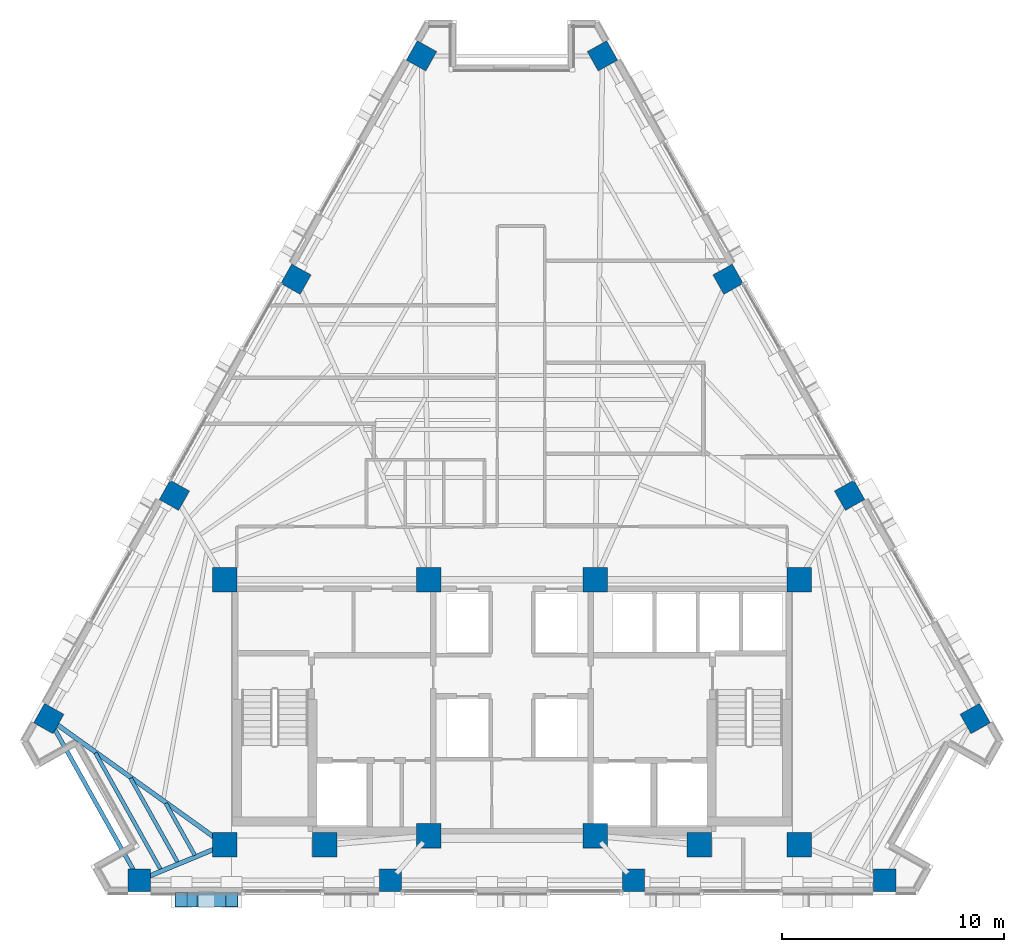
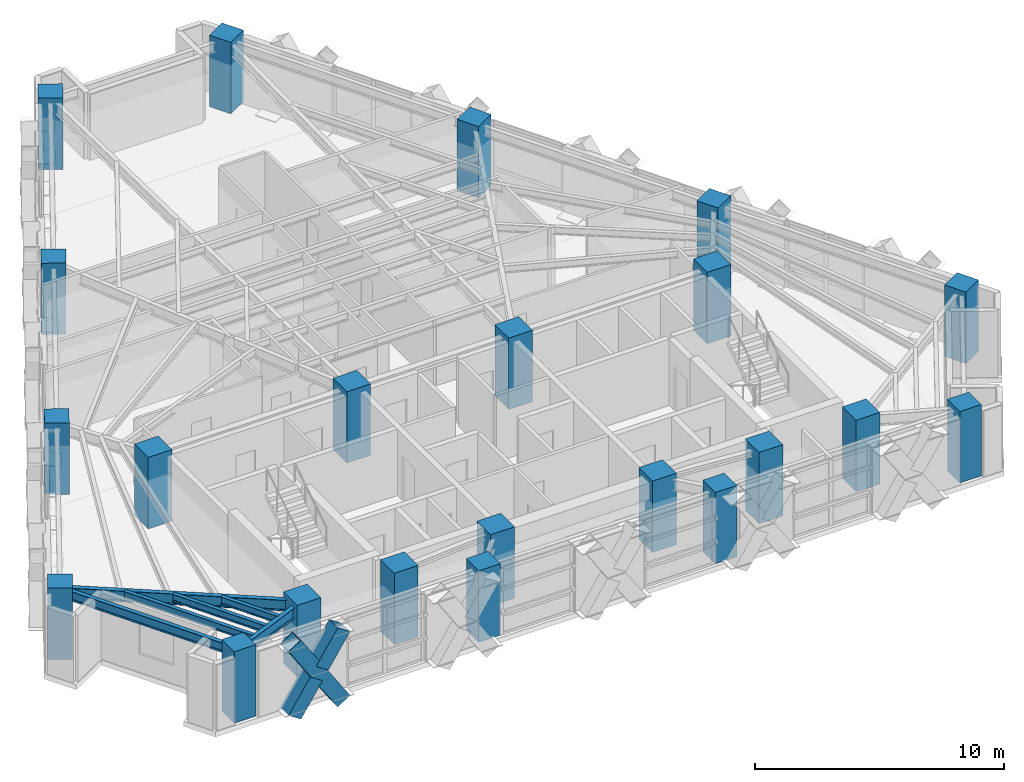
# One storey, part 1 of 14: 22 columns, 6 beams, 3 members.
"""IFC4 building model written with IfcOpenShell, lengths in metres."""

from ifc_helpers import new_model, si_unit, direction, frame, origin, origin_2d, place, context, subcontext, project, spatial, rectangle, hollow_rectangle, i_section, extrude, material, material_profile, profile_set, type_object, element, save


model = new_model("IFC4")

# Units and contexts
model_context = context("Model", 3, precision=1e-05, world=origin(), true_north=direction((0.0, 1.0)))
body_context = subcontext(model_context, "Body", "Model", "MODEL_VIEW")
ifc_project = project(units=[si_unit("LENGTHUNIT", "METRE"), si_unit("AREAUNIT", "SQUARE_METRE"), si_unit("VOLUMEUNIT", "CUBIC_METRE"), si_unit("PLANEANGLEUNIT", "RADIAN"), si_unit("MASSUNIT", "GRAM", prefix="KILO")], contexts=[model_context])

# Site, building, storey
site_placement = place(None, origin())
site = spatial("IfcSite", under=ifc_project, at=site_placement, CompositionType="ELEMENT")
building_placement = place(site_placement, origin())
building = spatial("IfcBuilding", under=site, at=building_placement, Name="Quenlor Broadcast Tower", CompositionType="ELEMENT")
storey_placement = place(building_placement, frame((0.0, 0.0, 133.5)))
storey = spatial("IfcBuildingStorey", under=building, at=storey_placement, Name="L36", CompositionType="ELEMENT", Elevation=133.5)

# Columns
ifc_material_1 = material(Name="Concrete C65/80", Category="concrete")
ifc_material_profile_1 = material_profile(ifc_material_1, rectangle(XDim=1.10009765625, YDim=1.10009765625, at=origin_2d()))
ifc_profile_set_1 = profile_set([ifc_material_profile_1], Name="Concrete C65/80 RC1100x1100")
column_type_1 = type_object("IfcColumnType", Name="Core Corner Column Mid Concrete C65/80 1100", PredefinedType="COLUMN", material=ifc_profile_set_1)
for number, where, z_axis, x_axis, name in (
    (1, (-12.949951171875, -16.75, 0.0), (0.0, 0.0, 1.0), (1.0, 0.0, 0.0), "L36 Core Column CC1"),
    (2, (-8.449951171875, -16.75, 0.0), (0.0, 0.0, 1.0), (1.0, 0.0, 0.0), "L36 Core Column CC2"),
    (3, (-3.75, -16.35009765625, 0.0), (0.0, 0.0, 1.0), (1.0, 0.0, 0.0), "L36 Core Column CC3"),
    (4, (3.75, -16.35009765625, 0.0), (0.0, 0.0, 1.0), (1.0, 0.0, 0.0), "L36 Core Column CC4"),
    (5, (8.449951171875, -16.75, 0.0), (0.0, 0.0, 1.0), (1.0, 0.0, 0.0), "L36 Core Column CC5"),
    (6, (12.949951171875, -16.75, 0.0), (0.0, 0.0, 1.0), (1.0, 0.0, 0.0), "L36 Core Column CC6"),
    (7, (-12.949951171875, -4.800048828125, 0.0), (0.0, 0.0, 1.0), (1.0, 0.0, 0.0), "L36 Core Column CC7"),
    (8, (-3.75, -4.800048828125, 0.0), (0.0, 0.0, 1.0), (1.0, 0.0, 0.0), "L36 Core Column CC8"),
    (9, (3.75, -4.800048828125, 0.0), (0.0, 0.0, 1.0), (1.0, 0.0, 0.0), "L36 Core Column CC9"),
    (10, (12.949951171875, -4.800048828125, 0.0), (0.0, 0.0, 1.0), (1.0, 0.0, 0.0), "L36 Core Column CC10"),
):
    element("IfcColumn", number, at=place(storey_placement, frame(where, z_axis=z_axis, x_axis=x_axis)), inside=storey, type_object=column_type_1, Name=name, PredefinedType="COLUMN", context=body_context, shape_type="SweptSolid", body=[
        extrude(rectangle(XDim=1.10009765625, YDim=1.10009765625, at=origin_2d()), origin(), (0.0, 0.0, 1.0), 3.5),
    ])
ifc_material_2 = material(Name="Concrete C50/60", Category="concrete")
ifc_material_profile_2 = material_profile(ifc_material_2, rectangle(XDim=1.0, YDim=1.0, at=origin_2d()))
ifc_profile_set_2 = profile_set([ifc_material_profile_2], Name="Concrete C50/60 RC1000x1000")
column_type_2 = type_object("IfcColumnType", Name="Tower Perimeter Column Z3 Concrete C50/60 1000", PredefinedType="COLUMN", material=ifc_profile_set_2)
for number, where, z_axis, x_axis, name in (
    (11, (-16.808349609375, -18.35009765625, 0.0), (0.0, 0.0, 1.0), (0.0, 1.0, 0.0), "L36 Perimeter Column S1"),
    (12, (-5.48095703125, -18.35009765625, 0.0), (0.0, 0.0, 1.0), (0.0, 1.0, 0.0), "L36 Perimeter Column S2"),
    (13, (5.48095703125, -18.35009765625, 0.0), (0.0, 0.0, 1.0), (0.0, 1.0, 0.0), "L36 Perimeter Column S3"),
    (14, (16.808349609375, -18.35009765625, 0.0), (0.0, 0.0, 1.0), (0.0, 1.0, 0.0), "L36 Perimeter Column S4"),
    (15, (20.8876953125, -11.0595703125, 0.0), (0.0, 0.0, 1.0), (0.871575139605, 0.490261946333, 0.0), "L36 Perimeter Column NE1"),
    (16, (15.22412109375, -0.99072265625, 0.0), (0.0, 0.0, 1.0), (0.871575139605, 0.490261946333, 0.0), "L36 Perimeter Column NE2"),
    (17, (9.742919921875, 8.75341796875, 0.0), (0.0, 0.0, 1.0), (0.871575139605, 0.490261946333, 0.0), "L36 Perimeter Column NE3"),
    (18, (4.079345703125, 18.822021484375, 0.0), (0.0, 0.0, 1.0), (0.871575139605, 0.490261946333, 0.0), "L36 Perimeter Column NE4"),
    (19, (-4.079345703125, 18.822021484375, 0.0), (0.0, 0.0, 1.0), (-0.871575139605, 0.490261946333, 0.0), "L36 Perimeter Column NW1"),
    (20, (-9.742919921875, 8.75341796875, 0.0), (0.0, 0.0, 1.0), (-0.871575139605, 0.490261946333, 0.0), "L36 Perimeter Column NW2"),
    (21, (-15.22412109375, -0.99072265625, 0.0), (0.0, 0.0, 1.0), (-0.871575139605, 0.490261946333, 0.0), "L36 Perimeter Column NW3"),
    (22, (-20.8876953125, -11.0595703125, 0.0), (0.0, 0.0, 1.0), (-0.871575139605, 0.490261946333, 0.0), "L36 Perimeter Column NW4"),
):
    element("IfcColumn", number, at=place(storey_placement, frame(where, z_axis=z_axis, x_axis=x_axis)), inside=storey, type_object=column_type_2, Name=name, PredefinedType="COLUMN", context=body_context, shape_type="SweptSolid", body=[
        extrude(rectangle(XDim=1.0, YDim=1.0, at=origin_2d()), origin(), (0.0, 0.0, 1.0), 3.5),
    ])

# Members
ifc_material_3 = material(Name="Steel S355", Category="steel")
ifc_material_profile_3 = material_profile(ifc_material_3, hollow_rectangle(XDim=0.679931640625, YDim=0.679931640625, WallThickness=0.02490234375, at=origin_2d()))
ifc_profile_set_3 = profile_set([ifc_material_profile_3], Name="Steel S355 RHS680x680x25")
member_type = type_object("IfcMemberType", Name="Perimeter Diagonal Lattice Brace Z3-Z4 Steel S355 RHS680x25", PredefinedType="BRACE", material=ifc_profile_set_3)
member_1_placement = place(storey_placement, frame((-12.641845703125, -19.219970703125, -0.1201171875), z_axis=(-0.543860340502, 0.0, 0.839175744424), x_axis=(0.0, -1.0, 0.0)))
element("IfcMember", 23, at=member_1_placement, inside=storey, type_object=member_type, Name="L36 Perimeter Diamond Lattice S-C5XA", PredefinedType="BRACE", context=body_context, shape_type="SweptSolid", body=[
    extrude(hollow_rectangle(XDim=0.679931640625, YDim=0.679931640625, WallThickness=0.02490234375, at=origin_2d()), origin(), (0.0, 0.0, 1.0), 4.170654296875),
])
member_2_placement = place(storey_placement, frame((-14.91015625, -19.219970703125, -0.1201171875), z_axis=(0.543786168213, 0.0, 0.839223809994), x_axis=(0.0, 1.0, 0.0)))
element("IfcMember", 24, at=member_2_placement, inside=storey, type_object=member_type, Name="L36 Perimeter Diamond Lattice S-C5XB1", PredefinedType="BRACE", context=body_context, shape_type="SweptSolid", body=[
    extrude(hollow_rectangle(XDim=0.679931640625, YDim=0.679931640625, WallThickness=0.02490234375, at=origin_2d()), origin(), (0.0, 0.0, 1.0), 1.83544921875),
])
member_3_placement = place(storey_placement, frame((-13.639892578125, -19.219970703125, 1.83984375), z_axis=(0.543846878394, 0.0, 0.839184468911), x_axis=(0.0, 1.0, 0.0)))
element("IfcMember", 25, at=member_3_placement, inside=storey, type_object=member_type, Name="L36 Perimeter Diamond Lattice S-C5XB2", PredefinedType="BRACE", context=body_context, shape_type="SweptSolid", body=[
    extrude(hollow_rectangle(XDim=0.679931640625, YDim=0.679931640625, WallThickness=0.02490234375, at=origin_2d()), origin(), (0.0, 0.0, 1.0), 1.835205078125),
])

# Beams
ifc_material_4 = material(Name="Steel S355", Category="steel")
ifc_material_profile_4 = material_profile(ifc_material_4, i_section(OverallWidth=0.19091796875, OverallDepth=0.46044921875, WebThickness=0.010009765625, FlangeThickness=0.01611328125, FilletRadius=0.011474609375, at=origin_2d()))
ifc_profile_set_4 = profile_set([ifc_material_profile_4], Name="Steel S355 460UB82.1")
beam_type_1 = type_object("IfcBeamType", Name="Perimeter Spandrel Beam Z3 Steel S355 460UB82.1", PredefinedType="SPANDREL", material=ifc_profile_set_4)
beam_1_placement = place(storey_placement, frame((-20.6875, -11.417236328125, 3.019775390625), z_axis=(0.488298439934, -0.872676706208, 0.0), x_axis=(0.872676706208, 0.488298439934, 0.0)))
element("IfcBeam", 26, at=beam_1_placement, inside=storey, type_object=beam_type_1, Name="L36 Spandrel Beam NW4-S1", PredefinedType="SPANDREL", context=body_context, shape_type="SweptSolid", body=[
    extrude(i_section(OverallWidth=0.19091796875, OverallDepth=0.46044921875, WebThickness=0.010009765625, FlangeThickness=0.01611328125, FilletRadius=0.011474609375, at=origin_2d()), origin(), (0.0, 0.0, 1.0), 7.5341796875),
])
ifc_material_5 = material(Name="Steel S355", Category="steel")
ifc_material_profile_5 = material_profile(ifc_material_5, i_section(OverallWidth=0.172119140625, OverallDepth=0.358642578125, WebThickness=0.008056640625, FlangeThickness=0.012939453125, FilletRadius=0.011474609375, at=origin_2d()))
ifc_profile_set_5 = profile_set([ifc_material_profile_5], Name="Steel S355 360UB56.7")
beam_type_2 = type_object("IfcBeamType", Name="Tower Composite Joist Z2-Z3 Steel S355 360UB56.7", PredefinedType="JOIST", material=ifc_profile_set_5)
beam_2_placement = place(storey_placement, frame((-14.30078125, -17.22412109375, 3.07080078125), z_axis=(-0.488370382241, 0.87263644764, 0.0), x_axis=(-0.87263644764, -0.488370382241, 0.0)))
element("IfcBeam", 27, at=beam_2_placement, inside=storey, type_object=beam_type_2, Name="L36 Secondary Composite Joist 19", PredefinedType="JOIST", context=body_context, shape_type="SweptSolid", body=[
    extrude(i_section(OverallWidth=0.172119140625, OverallDepth=0.358642578125, WebThickness=0.008056640625, FlangeThickness=0.012939453125, FilletRadius=0.011474609375, at=origin_2d()), origin(), (0.0, 0.0, 1.0), 2.680419921875),
])
beam_3_placement = place(storey_placement, frame((-15.072509765625, -17.544189453125, 3.07080078125), z_axis=(-0.488294103756, 0.872679132463, 0.0), x_axis=(-0.872679132463, -0.488294103756, 0.0)))
element("IfcBeam", 28, at=beam_3_placement, inside=storey, type_object=beam_type_2, Name="L36 Secondary Composite Joist 20", PredefinedType="JOIST", context=body_context, shape_type="SweptSolid", body=[
    extrude(i_section(OverallWidth=0.172119140625, OverallDepth=0.358642578125, WebThickness=0.008056640625, FlangeThickness=0.012939453125, FilletRadius=0.011474609375, at=origin_2d()), origin(), (0.0, 0.0, 1.0), 4.351318359375),
])
beam_4_placement = place(storey_placement, frame((-15.84423828125, -17.8642578125, 3.07080078125), z_axis=(-0.488308300212, 0.872671188905, 0.0), x_axis=(-0.872671188905, -0.488308300212, 0.0)))
element("IfcBeam", 29, at=beam_4_placement, inside=storey, type_object=beam_type_2, Name="L36 Secondary Composite Joist 21", PredefinedType="JOIST", context=body_context, shape_type="SweptSolid", body=[
    extrude(i_section(OverallWidth=0.172119140625, OverallDepth=0.358642578125, WebThickness=0.008056640625, FlangeThickness=0.012939453125, FilletRadius=0.011474609375, at=origin_2d()), origin(), (0.0, 0.0, 1.0), 6.022216796875),
])
ifc_material_6 = material(Name="Steel S355", Category="steel")
ifc_material_profile_6 = material_profile(ifc_material_6, i_section(OverallWidth=0.208984375, OverallDepth=0.532958984375, WebThickness=0.01025390625, FlangeThickness=0.015625, FilletRadius=0.013916015625, at=origin_2d()))
ifc_profile_set_6 = profile_set([ifc_material_profile_6], Name="Steel S355 530UB92.4")
beam_type_3 = type_object("IfcBeamType", Name="Tower Primary Floor Beam Z3 Steel S355 530UB92.4", PredefinedType="BEAM", material=ifc_profile_set_6)
beam_5_placement = place(storey_placement, frame((-16.4296875, -18.19287109375, 2.9833984375), z_axis=(0.923730294618, 0.383043525993, 0.0), x_axis=(-0.383043525993, 0.923730294618, 0.0)))
element("IfcBeam", 30, at=beam_5_placement, inside=storey, type_object=beam_type_3, Name="L36 Primary Radial Beam S1", PredefinedType="BEAM", context=body_context, shape_type="SweptSolid", body=[
    extrude(i_section(OverallWidth=0.208984375, OverallDepth=0.532958984375, WebThickness=0.01025390625, FlangeThickness=0.015625, FilletRadius=0.013916015625, at=origin_2d()), origin(), (0.0, 0.0, 1.0), 3.386962890625),
])
beam_6_placement = place(storey_placement, frame((-20.554443359375, -11.29833984375, 2.9833984375), z_axis=(0.812728908832, -0.582642017666, 0.0), x_axis=(0.582642017666, 0.812728908832, 0.0)))
element("IfcBeam", 31, at=beam_6_placement, inside=storey, type_object=beam_type_3, Name="L36 Primary Radial Beam NW4", PredefinedType="BEAM", context=body_context, shape_type="SweptSolid", body=[
    extrude(i_section(OverallWidth=0.208984375, OverallDepth=0.532958984375, WebThickness=0.01025390625, FlangeThickness=0.015625, FilletRadius=0.013916015625, at=origin_2d()), origin(), (0.0, 0.0, 1.0), 8.976806640625),
])

save(model, "model.ifc")
